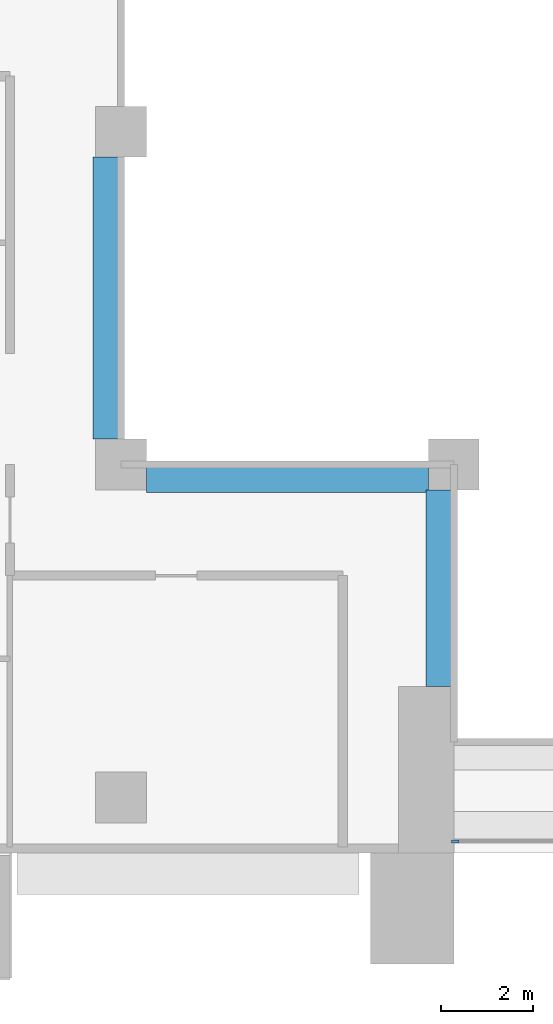
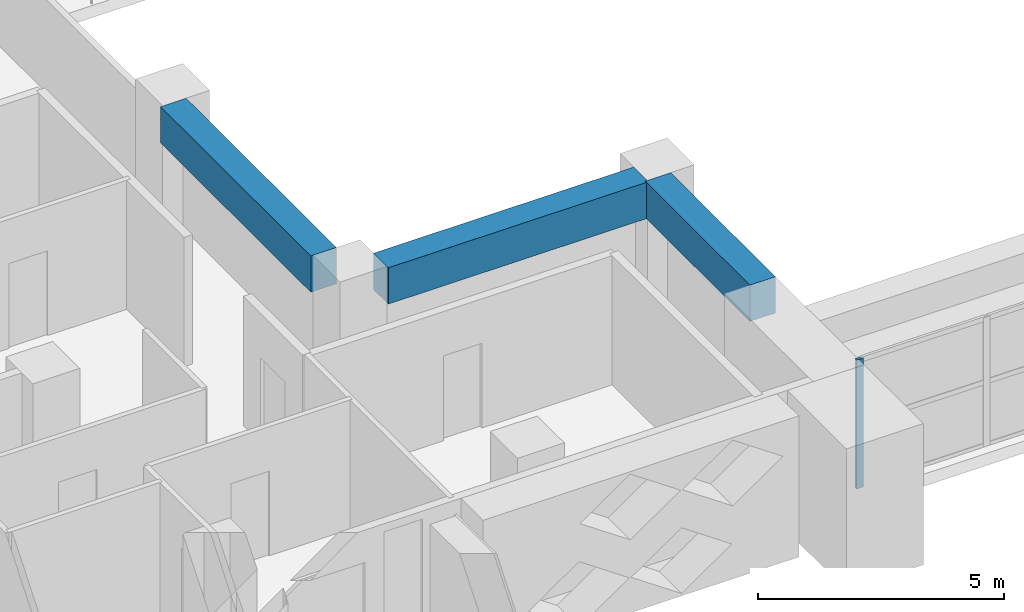
# One storey, part 2 of 20: 3 beams, 1 member, 1 element without a shape of its own.
"""IFC4 building model written with IfcOpenShell, lengths in metres."""

from ifc_helpers import new_model, si_unit, direction, frame, origin, origin_2d, place, context, subcontext, project, spatial, rectangle, extrude, source, transform, mapped, material, layer, layer_set, material_profile, profile_set, type_object, element, aggregate, save


model = new_model("IFC4")

# Units and contexts
model_context = context("Model", 3, precision=1e-05, world=origin(), true_north=direction((0.0, 1.0)))
body_context = subcontext(model_context, "Body", "Model", "MODEL_VIEW")
ifc_project = project(units=[si_unit("LENGTHUNIT", "METRE"), si_unit("AREAUNIT", "SQUARE_METRE"), si_unit("VOLUMEUNIT", "CUBIC_METRE"), si_unit("PLANEANGLEUNIT", "RADIAN"), si_unit("MASSUNIT", "GRAM", prefix="KILO")], contexts=[model_context])

# Site, building, storey
site_placement = place(None, origin())
site = spatial("IfcSite", under=ifc_project, at=site_placement, CompositionType="ELEMENT")
building_placement = place(site_placement, origin())
building = spatial("IfcBuilding", under=site, at=building_placement, Name="Saffron Iwan Residences", CompositionType="ELEMENT")
storey_placement = place(building_placement, frame((0.0, 0.0, 123.5)))
storey = spatial("IfcBuildingStorey", under=building, at=storey_placement, Name="L32", CompositionType="ELEMENT", Elevation=123.5)

# Beams
ifc_material_1 = material(Name="Concrete C50/60", Category="concrete")
ifc_material_profile_1 = material_profile(ifc_material_1, rectangle(XDim=0.60009765625, YDim=0.89990234375, at=origin_2d()), Name="RC 600x900")
ifc_profile_set_1 = profile_set([ifc_material_profile_1], Name="Concrete C50/60")
beam_type = type_object("IfcBeamType", Name="BEAM RC 600x900 C50/60 TOP 3200", PredefinedType="BEAM", material=ifc_profile_set_1)
shared_shape_1 = source(origin(), body_context, "Body", "SweptSolid", [
    extrude(rectangle(XDim=0.60009765625, YDim=0.89990234375, at=origin_2d()), origin(), (0.0, 0.0, 1.0), 4.25),
])
beam_placement = place(storey_placement, frame((42.89990234375, 43.199951171875, 2.75), z_axis=(0.0, 1.0, 0.0), x_axis=(-1.0, 0.0, 0.0)))
element("IfcBeam", 1, at=beam_placement, inside=storey, type_object=beam_type, Name="Atrium edge beam", PredefinedType="BEAM", context=body_context, shape_type="MappedRepresentation", body=[
    mapped(shared_shape_1, transform((0.0, 0.0, 0.0))),
])
shared_shape_2 = source(origin(), body_context, "Body", "SweptSolid", [
    extrude(rectangle(XDim=0.60009765625, YDim=0.89990234375, at=origin_2d()), origin(), (0.0, 0.0, 1.0), 6.099853515625),
])
for number, where, z_axis, x_axis, name in (
    (2, (42.64990234375, 47.699951171875, 2.75), (-1.0, 0.0, 0.0), (0.0, -1.0, 0.0), "Atrium edge beam"),
    (3, (35.699951171875, 48.550048828125, 2.75), (0.0, 1.0, 0.0), (-1.0, 0.0, 0.0), "Atrium edge beam"),
):
    element("IfcBeam", number, at=place(storey_placement, frame(where, z_axis=z_axis, x_axis=x_axis)), inside=storey, type_object=beam_type, Name=name, PredefinedType="BEAM", context=body_context, shape_type="MappedRepresentation", body=[
        mapped(shared_shape_2, transform((0.0, 0.0, 0.0))),
    ])

# Curtain wall, member
ifc_material_2 = material(Name="Clear glass, laminated double glazed", Category="glass")
ifc_layer = layer(ifc_material_2, 0.199951171875)
ifc_layer_set = layer_set([ifc_layer], Name="Clear glass, laminated double glazed")
curtain_wall_type = type_object("IfcCurtainWallType", Name="CW-B IWAN PORTAL", PredefinedType="NOTDEFINED", material=ifc_layer_set)
curtain_wall_placement = place(storey_placement, origin())
curtain_wall = element("IfcCurtainWall", 4, at=curtain_wall_placement, inside=storey, type_object=curtain_wall_type, Name="Iwan portal glazing L32.1", PredefinedType="NOTDEFINED")
ifc_material_3 = material(Name="Aluminium 6063-T6", Category="aluminium")
ifc_material_profile_2 = material_profile(ifc_material_3, rectangle(XDim=0.06005859375, YDim=0.159912109375, at=origin_2d()), Name="CW-B MULLION 60 x 160")
ifc_profile_set_2 = profile_set([ifc_material_profile_2], Name="Aluminium 6063-T6")
member_type = type_object("IfcMemberType", Name="CW-B MULLION 60 x 160", PredefinedType="MULLION", material=ifc_profile_set_2)
shared_shape_3 = source(origin(), body_context, "Body", "SweptSolid", [
    extrude(rectangle(XDim=0.06005859375, YDim=0.159912109375, at=origin_2d()), origin(), (0.0, 0.0, 1.0), 3.199951171875),
])
member_placement = place(storey_placement, frame((43.22998046875, 39.85009765625, 0.0), z_axis=(0.0, 0.0, 1.0), x_axis=(0.0, 1.0, 0.0)))
member = element("IfcMember", 5, at=member_placement, type_object=member_type, Name="CW-B mullion 1", PredefinedType="MULLION", context=body_context, shape_type="MappedRepresentation", body=[
    mapped(shared_shape_3, transform((0.0, 0.0, 0.0))),
])
aggregate(curtain_wall, [member])

save(model, "model.ifc")
